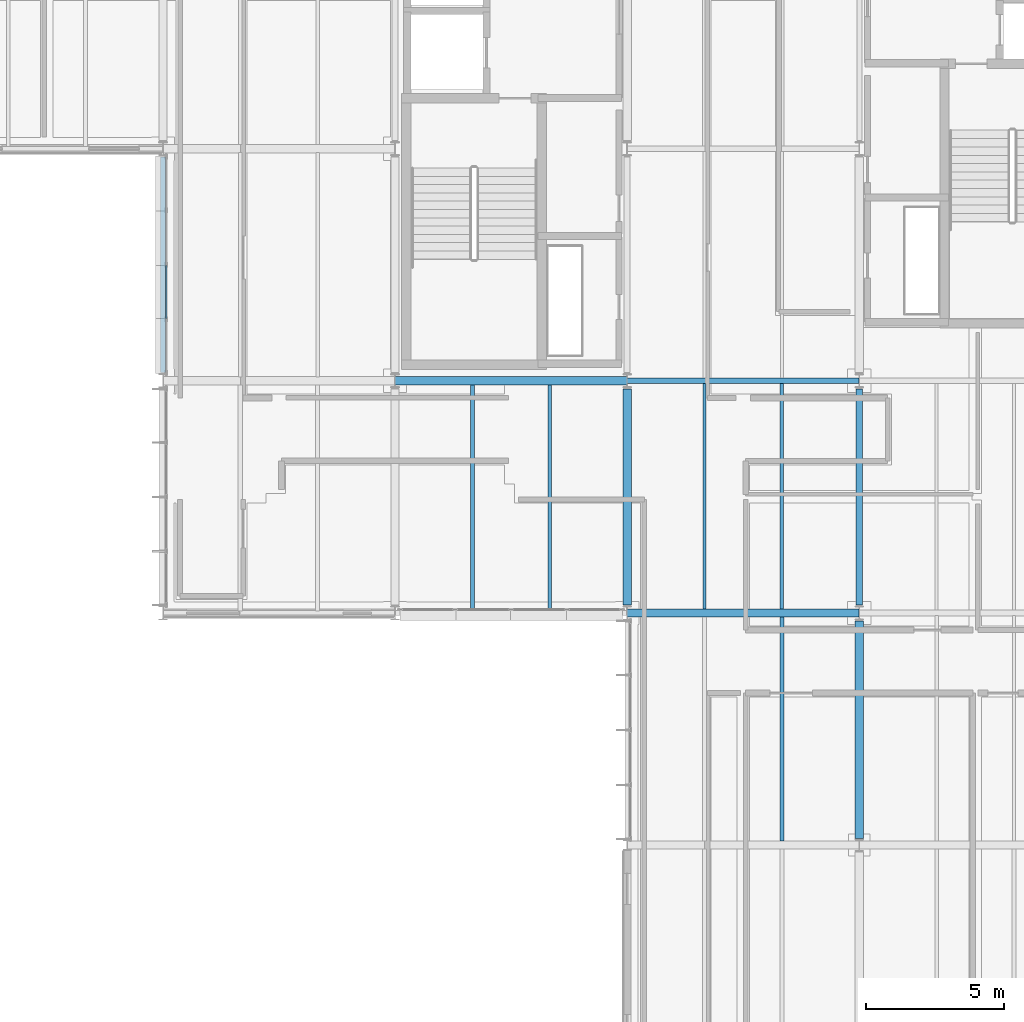
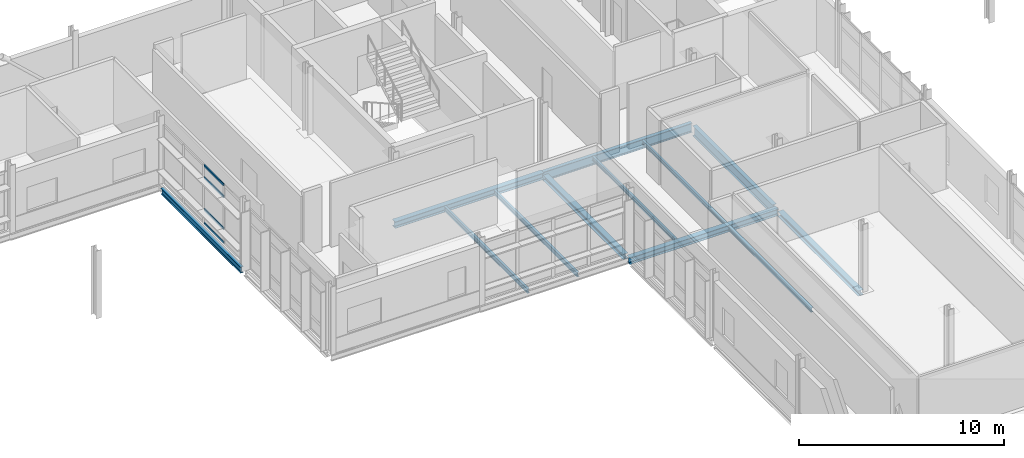
# One storey, part 102 of 151: 12 beams, 4 members, 1 element without a shape of its own.
"""IFC4 building model written with IfcOpenShell, lengths in metres."""

import ifcopenshell
import ifcopenshell.guid

model = None  # the IFC model being written
_history = None  # IfcOwnerHistory: only IFC2X3 demands one
_inside = {}  # id of a spatial element -> (the spatial element, [elements in it])
_under = {}  # id of a project, library or spatial element -> (it, [spatial elements below it])
_declared = {}  # id of a project -> (the project, [libraries it declares])
_typed = {}  # id of a type object -> (the type object, [elements of that type])
_made_of = {}  # id of a material, layer set ... -> (it, [elements and type objects made of it])


def new_model(schema):
    """Start an empty IFC model of exactly this schema.

    Asked for "IFC4X3", IfcOpenShell would pick the latest addendum, in which some entities
    have other attributes; the version numbers below select the first issue.
    IFC2X3 requires an IfcOwnerHistory on every rooted entity: one is made here for all.
    """
    global model, _history
    if schema == "IFC4X3":
        model = ifcopenshell.file(schema_version=(4, 3, 0, 0))
    else:
        model = ifcopenshell.file(schema=schema)
    _inside.clear()
    _under.clear()
    _declared.clear()
    _typed.clear()
    _made_of.clear()
    _history = None
    if model.schema == "IFC2X3":
        org = make("IfcOrganization", Name="unknown")
        user = make(
            "IfcPersonAndOrganization",
            ThePerson=make("IfcPerson", FamilyName="unknown"),
            TheOrganization=org,
        )
        app = make(
            "IfcApplication",
            ApplicationDeveloper=org,
            Version="unknown",
            ApplicationFullName="unknown",
            ApplicationIdentifier="unknown",
        )
        _history = make(
            "IfcOwnerHistory",
            OwningUser=user,
            OwningApplication=app,
            ChangeAction="ADDED",
            CreationDate=0,
        )
    return model


def make(cls, **values):
    """One entity of the class cls with the attributes given. An attribute that is None is left unset."""
    return model.create_entity(
        cls, **{name: value for name, value in values.items() if value is not None}
    )


def rooted(cls, **values):
    """An entity with a GlobalId (a new one), such as an element, a storey or a relation."""
    return make(cls, GlobalId=ifcopenshell.guid.new(), OwnerHistory=_history, **values)


def si_unit(unit_type, name, prefix=None):
    """IfcSIUnit, for example si_unit("LENGTHUNIT", "METRE", prefix="MILLI")."""
    return make("IfcSIUnit", UnitType=unit_type, Prefix=prefix, Name=name)


def assignment(units):
    """IfcUnitAssignment: the units of a project."""
    return None if units is None else make("IfcUnitAssignment", Units=units)


def point(xyz):
    """IfcCartesianPoint."""
    return None if xyz is None else make("IfcCartesianPoint", Coordinates=xyz)


def direction(xyz):
    """IfcDirection."""
    return None if xyz is None else make("IfcDirection", DirectionRatios=xyz)


def frame(location, z_axis=None, x_axis=None):
    """IfcAxis2Placement3D, a coordinate frame: its origin and axes. An axis left out is left unset."""
    return make(
        "IfcAxis2Placement3D",
        Location=point(location),
        Axis=direction(z_axis),
        RefDirection=direction(x_axis),
    )


def frame_2d(location, x_axis=None):
    """IfcAxis2Placement2D, a coordinate frame in the plane: its origin and x axis."""
    return make(
        "IfcAxis2Placement2D", Location=point(location), RefDirection=direction(x_axis)
    )


def origin():
    """The frame at (0, 0, 0) with its axes left unset."""
    return frame((0.0, 0.0, 0.0))


def origin_2d():
    """The frame at (0, 0) in the plane with its x axis left unset."""
    return frame_2d((0.0, 0.0))


def place(relative_to, where):
    """IfcLocalPlacement: puts the frame where relative to a parent placement (None: the world)."""
    return make(
        "IfcLocalPlacement", PlacementRelTo=relative_to, RelativePlacement=where
    )


def context(
    kind, dimensions, precision=None, world=None, true_north=None, identifier=None
):
    """IfcGeometricRepresentationContext, for example the 3D "Model" context."""
    return make(
        "IfcGeometricRepresentationContext",
        ContextIdentifier=identifier,
        ContextType=kind,
        CoordinateSpaceDimension=dimensions,
        Precision=precision,
        WorldCoordinateSystem=world,
        TrueNorth=true_north,
    )


def subcontext(parent, identifier, kind, view, scale=None):
    """IfcGeometricRepresentationSubContext, for example "Body" below "Model"."""
    return make(
        "IfcGeometricRepresentationSubContext",
        ContextIdentifier=identifier,
        ContextType=kind,
        ParentContext=parent,
        TargetScale=scale,
        TargetView=view,
    )


def project(units=None, contexts=None):
    """IfcProject with its units and contexts."""
    return rooted(
        "IfcProject",
        Name="project",
        RepresentationContexts=contexts,
        UnitsInContext=assignment(units),
    )


def spatial(cls, under=None, at=None, **own):
    """A site, building, storey or space (cls), placed at a placement, below another one or the project."""
    s = rooted(cls, ObjectPlacement=at, **own)
    if under is not None:
        _under.setdefault(under.id(), (under, []))[1].append(s)
    return s


def profile(cls, at=None, kind="AREA", **sizes):
    """A parametric profile (cls). Its sizes go by their IFC names, for example OverallWidth=200.0."""
    return make(cls, ProfileType=kind, Position=at, **sizes)


def hollow_rectangle(**sizes):
    """IfcRectangleHollowProfileDef."""
    return profile("IfcRectangleHollowProfileDef", **sizes)


def i_section(**sizes):
    """IfcIShapeProfileDef."""
    return profile("IfcIShapeProfileDef", **sizes)


def extrude(swept, where, along, depth):
    """IfcExtrudedAreaSolid: the profile swept, set in the frame where, extruded along a direction by depth."""
    return make(
        "IfcExtrudedAreaSolid",
        SweptArea=swept,
        Position=where,
        ExtrudedDirection=direction(along),
        Depth=depth,
    )


def shape(context_of_items, identifier, shape_type, items):
    """IfcShapeRepresentation: the items that make up one representation, for example the "Body"."""
    return make(
        "IfcShapeRepresentation",
        ContextOfItems=context_of_items,
        RepresentationIdentifier=identifier,
        RepresentationType=shape_type,
        Items=items,
    )


def material(Name=None, Category=None):
    """IfcMaterial."""
    return make("IfcMaterial", Name=Name, Category=Category)


def material_profile(
    of_material, cross_section, Name=None, Category=None, Priority=None
):
    """IfcMaterialProfile: a cross section and its material."""
    return make(
        "IfcMaterialProfile",
        Name=Name,
        Material=of_material,
        Profile=cross_section,
        Priority=Priority,
        Category=Category,
    )


def profile_set(profiles, Name=None, composite=None):
    """IfcMaterialProfileSet."""
    return make(
        "IfcMaterialProfileSet",
        Name=Name,
        MaterialProfiles=profiles,
        CompositeProfile=composite,
    )


def made_of(thing, what):
    """Note that an element or type object is made of a material, layer set ...; save() writes the relation."""
    if what is not None:
        _made_of.setdefault(what.id(), (what, []))[1].append(thing)
    return thing


def type_object(cls, material=None, **own):
    """A type object (cls), such as IfcWallType, which elements share."""
    return made_of(rooted(cls, **own), material)


def element(
    cls,
    number,
    at=None,
    inside=None,
    cuts=None,
    type_object=None,
    material=None,
    context=None,
    identifier="Body",
    shape_type=None,
    held_by="IfcProductDefinitionShape",
    body=None,
    shapes=None,
    **own,
):
    """One element of the class cls, such as IfcWall. Its Tag is "e" and its number.

    at: its placement. inside: the storey or other place that contains it. cuts: it is an
    opening in that element (IfcRelVoidsElement). A single representation is given by context,
    identifier, shape_type and body (its items); several are given by shapes. held_by: the class
    of the entity that holds the representations. save() writes the other relations.
    """
    e = rooted(cls, Tag="e%d" % number, ObjectPlacement=at, **own)
    if body is not None:
        shapes = [shape(context, identifier, shape_type, body)]
    if shapes is not None:
        e.Representation = make(held_by, Representations=shapes)
    if inside is not None:
        _inside.setdefault(inside.id(), (inside, []))[1].append(e)
    if cuts is not None:
        rooted(
            "IfcRelVoidsElement", RelatingBuildingElement=cuts, RelatedOpeningElement=e
        )
    if type_object is not None:
        _typed.setdefault(type_object.id(), (type_object, []))[1].append(e)
    return made_of(e, material)


def aggregate(whole, parts):
    """IfcRelAggregates: a whole, such as a stair, and the parts it consists of."""
    return rooted("IfcRelAggregates", RelatingObject=whole, RelatedObjects=parts)


def save(model, path):
    """Write the relations noted so far, then the file.

    IfcRelAggregates (storeys below a building ...), IfcRelContainedInSpatialStructure (elements
    in a storey), IfcRelDefinesByType, IfcRelAssociatesMaterial and IfcRelDeclares: one each for
    every whole, place, type object, material and project.
    """
    for whole, parts in _under.values():
        aggregate(whole, parts)
    for where, things in _inside.values():
        rooted(
            "IfcRelContainedInSpatialStructure",
            RelatedElements=things,
            RelatingStructure=where,
        )
    for kind, things in _typed.values():
        rooted("IfcRelDefinesByType", RelatedObjects=things, RelatingType=kind)
    for what, things in _made_of.values():
        rooted("IfcRelAssociatesMaterial", RelatedObjects=things, RelatingMaterial=what)
    for by, libraries in _declared.values():
        rooted("IfcRelDeclares", RelatingContext=by, RelatedDefinitions=libraries)
    model.write(path)


model = new_model("IFC4")

# Units and contexts
model_context = context("Model", 3, precision=1e-05, world=origin(), true_north=direction((0.0, 1.0)))
body_context = subcontext(model_context, "Body", "Model", "MODEL_VIEW")
ifc_project = project(units=[si_unit("LENGTHUNIT", "METRE"), si_unit("AREAUNIT", "SQUARE_METRE"), si_unit("VOLUMEUNIT", "CUBIC_METRE"), si_unit("PLANEANGLEUNIT", "RADIAN"), si_unit("MASSUNIT", "GRAM", prefix="KILO")], contexts=[model_context])

# Site, building, storey
site_placement = place(None, origin())
site = spatial("IfcSite", under=ifc_project, at=site_placement, CompositionType="ELEMENT")
building_placement = place(site_placement, origin())
building = spatial("IfcBuilding", under=site, at=building_placement, Name="Mersafa Astral City Hall", CompositionType="ELEMENT")
storey_placement = place(building_placement, frame((0.0, 0.0, 9.89990234375)))
storey = spatial("IfcBuildingStorey", under=building, at=storey_placement, Name="L02", CompositionType="ELEMENT", Elevation=9.89990234375)

# Curtain wall, members
ifc_material_1 = material(Name="Anodised bronze aluminium framing", Category="aluminium")
curtain_wall_type = type_object("IfcCurtainWallType", Name="ENV-CW-6", PredefinedType="USERDEFINED", material=ifc_material_1)
curtain_wall_placement = place(storey_placement, origin())
curtain_wall = element("IfcCurtainWall", 1, at=curtain_wall_placement, inside=storey, type_object=curtain_wall_type, Name="L02 Unitised solar curtain wall 119", ObjectType="UNITISED CURTAIN WALL", PredefinedType="USERDEFINED")
ifc_material_profile_1 = material_profile(ifc_material_1, hollow_rectangle(XDim=0.06005859375, YDim=0.139892578125, WallThickness=0.00390625, at=origin_2d()), Name="RHS 60x140x4")
ifc_profile_set_1 = profile_set([ifc_material_profile_1], Name="Anodised bronze aluminium framing")
member_type = type_object("IfcMemberType", Name="ENV-CW-TRN-1", PredefinedType="USERDEFINED", material=ifc_profile_set_1)
member_1_placement = place(storey_placement, frame((142.919921875, 113.3701171875, 0.028076171875), z_axis=(0.0, -1.0, 0.0), x_axis=(1.0, 0.0, 0.0)))
member_1 = element("IfcMember", 2, at=member_1_placement, type_object=member_type, Name="CW-6 transom 3.1", ObjectType="TRANSOM", PredefinedType="USERDEFINED", context=body_context, shape_type="SweptSolid", body=[
    extrude(hollow_rectangle(XDim=0.06005859375, YDim=0.139892578125, WallThickness=0.00390625, at=origin_2d()), origin(), (0.0, 0.0, 1.0), 1.9091796875),
])
member_2_placement = place(storey_placement, frame((142.919921875, 113.3701171875, 0.85009765625), z_axis=(0.0, -1.0, 0.0), x_axis=(1.0, 0.0, 0.0)))
member_2 = element("IfcMember", 3, at=member_2_placement, type_object=member_type, Name="CW-6 transom 3.2", ObjectType="TRANSOM", PredefinedType="USERDEFINED", context=body_context, shape_type="SweptSolid", body=[
    extrude(hollow_rectangle(XDim=0.06005859375, YDim=0.139892578125, WallThickness=0.00390625, at=origin_2d()), origin(), (0.0, 0.0, 1.0), 1.9091796875),
])
member_3_placement = place(storey_placement, frame((142.919921875, 113.3701171875, 2.75), z_axis=(0.0, -1.0, 0.0), x_axis=(1.0, 0.0, 0.0)))
member_3 = element("IfcMember", 4, at=member_3_placement, type_object=member_type, Name="CW-6 transom 3.3", ObjectType="TRANSOM", PredefinedType="USERDEFINED", context=body_context, shape_type="SweptSolid", body=[
    extrude(hollow_rectangle(XDim=0.06005859375, YDim=0.139892578125, WallThickness=0.00390625, at=origin_2d()), origin(), (0.0, 0.0, 1.0), 1.9091796875),
])
member_4_placement = place(storey_placement, frame((142.919921875, 113.3701171875, 3.45703125), z_axis=(0.0, -1.0, 0.0), x_axis=(1.0, 0.0, 0.0)))
member_4 = element("IfcMember", 5, at=member_4_placement, type_object=member_type, Name="CW-6 transom 3.4", ObjectType="TRANSOM", PredefinedType="USERDEFINED", context=body_context, shape_type="SweptSolid", body=[
    extrude(hollow_rectangle(XDim=0.06005859375, YDim=0.139892578125, WallThickness=0.00390625, at=origin_2d()), origin(), (0.0, 0.0, 1.0), 1.9091796875),
])
aggregate(curtain_wall, [member_1, member_2, member_3, member_4])

# Beams
ifc_material_2 = material(Name="Steel S355", Category="steel")
ifc_material_profile_2 = material_profile(ifc_material_2, i_section(OverallWidth=0.300048828125, OverallDepth=0.31005859375, WebThickness=0.009033203125, FlangeThickness=0.015380859375, FilletRadius=0.027099609375, at=origin_2d()), Name="HEA 320")
ifc_profile_set_2 = profile_set([ifc_material_profile_2], Name="Steel S355")
beam_type_1 = type_object("IfcBeamType", Name="STR-BM-HEA320", PredefinedType="BEAM", material=ifc_profile_set_2)
beam_1_placement = place(storey_placement, frame((159.60009765625, 101.094970703125, -0.35498046875), z_axis=(0.0, 1.0, 0.0), x_axis=(-1.0, 0.0, 0.0)))
element("IfcBeam", 6, at=beam_1_placement, inside=storey, type_object=beam_type_1, Name="L02 Primary girder Y 19-12", PredefinedType="BEAM", context=body_context, shape_type="SweptSolid", body=[
    extrude(i_section(OverallWidth=0.300048828125, OverallDepth=0.31005859375, WebThickness=0.009033203125, FlangeThickness=0.015380859375, FilletRadius=0.027099609375, at=origin_2d()), origin(), (0.0, 0.0, 1.0), 7.81005859375),
])
beam_2_placement = place(storey_placement, frame((168.0, 92.64501953125, -0.35498046875), z_axis=(0.0, 1.0, 0.0), x_axis=(-1.0, 0.0, 0.0)))
element("IfcBeam", 7, at=beam_2_placement, inside=storey, type_object=beam_type_1, Name="L02 Primary girder Y 20-11", PredefinedType="BEAM", context=body_context, shape_type="SweptSolid", body=[
    extrude(i_section(OverallWidth=0.300048828125, OverallDepth=0.31005859375, WebThickness=0.009033203125, FlangeThickness=0.015380859375, FilletRadius=0.027099609375, at=origin_2d()), origin(), (0.0, 0.0, 1.0), 7.85986328125),
])
ifc_material_profile_3 = material_profile(ifc_material_2, i_section(OverallWidth=0.300048828125, OverallDepth=0.389892578125, WebThickness=0.010986328125, FlangeThickness=0.01904296875, FilletRadius=0.027099609375, at=origin_2d()), Name="HEA 400")
ifc_profile_set_3 = profile_set([ifc_material_profile_3], Name="Steel S355")
beam_type_2 = type_object("IfcBeamType", Name="STR-BM-HEA400", PredefinedType="BEAM", material=ifc_profile_set_3)
for number, where, z_axis, x_axis, name in (
    (8, (159.60302734375, 100.800048828125, -0.39501953125), (1.0, 0.0, 0.0), (0.0, 1.0, 0.0), "L02 Primary girder X 19-12"),
    (9, (151.202880859375, 109.199951171875, -0.39501953125), (1.0, 0.0, 0.0), (0.0, 1.0, 0.0), "L02 Primary girder X 18-13"),
):
    element("IfcBeam", number, at=place(storey_placement, frame(where, z_axis=z_axis, x_axis=x_axis)), inside=storey, type_object=beam_type_2, Name=name, PredefinedType="BEAM", context=body_context, shape_type="SweptSolid", body=[
        extrude(i_section(OverallWidth=0.300048828125, OverallDepth=0.389892578125, WebThickness=0.010986328125, FlangeThickness=0.01904296875, FilletRadius=0.027099609375, at=origin_2d()), origin(), (0.0, 0.0, 1.0), 8.39404296875),
    ])
ifc_material_profile_4 = material_profile(ifc_material_2, i_section(OverallWidth=0.2099609375, OverallDepth=0.550048828125, WebThickness=0.010986328125, FlangeThickness=0.01708984375, FilletRadius=0.02392578125, at=origin_2d()), Name="IPE 550")
ifc_profile_set_4 = profile_set([ifc_material_profile_4], Name="Steel S355")
beam_type_3 = type_object("IfcBeamType", Name="STR-BM-IPE550", PredefinedType="BEAM", material=ifc_profile_set_4)
beam_3_placement = place(storey_placement, frame((159.60302734375, 109.199951171875, -0.474853515625), z_axis=(1.0, 0.0, 0.0), x_axis=(0.0, 1.0, 0.0)))
element("IfcBeam", 10, at=beam_3_placement, inside=storey, type_object=beam_type_3, Name="L02 Primary girder X 19-13", PredefinedType="BEAM", context=body_context, shape_type="SweptSolid", body=[
    extrude(i_section(OverallWidth=0.2099609375, OverallDepth=0.550048828125, WebThickness=0.010986328125, FlangeThickness=0.01708984375, FilletRadius=0.02392578125, at=origin_2d()), origin(), (0.0, 0.0, 1.0), 8.39404296875),
])
ifc_material_profile_5 = material_profile(ifc_material_2, i_section(OverallWidth=0.219970703125, OverallDepth=0.60009765625, WebThickness=0.011962890625, FlangeThickness=0.01904296875, FilletRadius=0.02392578125, at=origin_2d()), Name="IPE 600")
ifc_profile_set_5 = profile_set([ifc_material_profile_5], Name="Steel S355")
beam_type_4 = type_object("IfcBeamType", Name="STR-BM-IPE600", PredefinedType="BEAM", material=ifc_profile_set_5)
beam_4_placement = place(storey_placement, frame((168.0, 101.094970703125, -0.5), z_axis=(0.0, 1.0, 0.0), x_axis=(-1.0, 0.0, 0.0)))
element("IfcBeam", 11, at=beam_4_placement, inside=storey, type_object=beam_type_4, Name="L02 Primary girder Y 20-12", PredefinedType="BEAM", context=body_context, shape_type="SweptSolid", body=[
    extrude(i_section(OverallWidth=0.219970703125, OverallDepth=0.60009765625, WebThickness=0.011962890625, FlangeThickness=0.01904296875, FilletRadius=0.02392578125, at=origin_2d()), origin(), (0.0, 0.0, 1.0), 7.81005859375),
])
ifc_material_profile_6 = material_profile(ifc_material_2, i_section(OverallWidth=0.1201171875, OverallDepth=0.239990234375, WebThickness=0.006103515625, FlangeThickness=0.009765625, FilletRadius=0.014892578125, at=origin_2d()), Name="IPE 240")
ifc_profile_set_6 = profile_set([ifc_material_profile_6], Name="Steel S355")
beam_type_5 = type_object("IfcBeamType", Name="STR-BM-JOIST-IPE240", PredefinedType="JOIST", material=ifc_profile_set_6)
for number, where, z_axis, x_axis, name in (
    (12, (162.39990234375, 100.945068359375, -0.31982421875), (0.0, 1.0, 0.0), (-1.0, 0.0, 0.0), "L02 Composite secondary floor joist 534"),
    (13, (165.199951171875, 100.945068359375, -0.31982421875), (0.0, 1.0, 0.0), (-1.0, 0.0, 0.0), "L02 Composite secondary floor joist 535"),
):
    element("IfcBeam", number, at=place(storey_placement, frame(where, z_axis=z_axis, x_axis=x_axis)), inside=storey, type_object=beam_type_5, Name=name, PredefinedType="JOIST", context=body_context, shape_type="SweptSolid", body=[
        extrude(i_section(OverallWidth=0.1201171875, OverallDepth=0.239990234375, WebThickness=0.006103515625, FlangeThickness=0.009765625, FilletRadius=0.014892578125, at=origin_2d()), origin(), (0.0, 0.0, 1.0), 8.155029296875),
    ])
ifc_material_profile_7 = material_profile(ifc_material_2, i_section(OverallWidth=0.135009765625, OverallDepth=0.27001953125, WebThickness=0.006591796875, FlangeThickness=0.01025390625, FilletRadius=0.014892578125, at=origin_2d()), Name="IPE 270")
ifc_profile_set_7 = profile_set([ifc_material_profile_7], Name="Steel S355")
beam_type_6 = type_object("IfcBeamType", Name="STR-BM-JOIST-IPE270", PredefinedType="JOIST", material=ifc_profile_set_7)
for number, where, z_axis, x_axis, name in (
    (14, (154.0, 100.8798828125, -0.3349609375), (0.0, 1.0, 0.0), (-1.0, 0.0, 0.0), "L02 Composite secondary floor joist 520"),
    (15, (156.800048828125, 100.8798828125, -0.3349609375), (0.0, 1.0, 0.0), (-1.0, 0.0, 0.0), "L02 Composite secondary floor joist 521"),
):
    element("IfcBeam", number, at=place(storey_placement, frame(where, z_axis=z_axis, x_axis=x_axis)), inside=storey, type_object=beam_type_6, Name=name, PredefinedType="JOIST", context=body_context, shape_type="SweptSolid", body=[
        extrude(i_section(OverallWidth=0.135009765625, OverallDepth=0.27001953125, WebThickness=0.006591796875, FlangeThickness=0.01025390625, FilletRadius=0.014892578125, at=origin_2d()), origin(), (0.0, 0.0, 1.0), 8.175048828125),
    ])
beam_5_placement = place(storey_placement, frame((165.199951171875, 92.544921875, -0.3349609375), z_axis=(0.0, 1.0, 0.0), x_axis=(-1.0, 0.0, 0.0)))
element("IfcBeam", 16, at=beam_5_placement, inside=storey, type_object=beam_type_6, Name="L02 Composite secondary floor joist 533", PredefinedType="JOIST", context=body_context, shape_type="SweptSolid", body=[
    extrude(i_section(OverallWidth=0.135009765625, OverallDepth=0.27001953125, WebThickness=0.006591796875, FlangeThickness=0.01025390625, FilletRadius=0.014892578125, at=origin_2d()), origin(), (0.0, 0.0, 1.0), 8.110107421875),
])
ifc_material_profile_8 = material_profile(ifc_material_2, i_section(OverallWidth=0.169921875, OverallDepth=0.360107421875, WebThickness=0.008056640625, FlangeThickness=0.0126953125, FilletRadius=0.01806640625, at=origin_2d()), Name="IPE 360")
ifc_profile_set_8 = profile_set([ifc_material_profile_8], Name="Steel S355")
beam_type_7 = type_object("IfcBeamType", Name="STR-BM-SPANDREL-IPE360", PredefinedType="SPANDREL", material=ifc_profile_set_8)
beam_6_placement = place(storey_placement, frame((142.800048828125, 109.4951171875, -0.3798828125), z_axis=(0.0, 1.0, 0.0), x_axis=(-1.0, 0.0, 0.0)))
element("IfcBeam", 17, at=beam_6_placement, inside=storey, type_object=beam_type_7, Name="L02 Primary girder Y 17-13", PredefinedType="SPANDREL", context=body_context, shape_type="SweptSolid", body=[
    extrude(i_section(OverallWidth=0.169921875, OverallDepth=0.360107421875, WebThickness=0.008056640625, FlangeThickness=0.0126953125, FilletRadius=0.01806640625, at=origin_2d()), origin(), (0.0, 0.0, 1.0), 7.809814453125),
])

save(model, "model.ifc")
